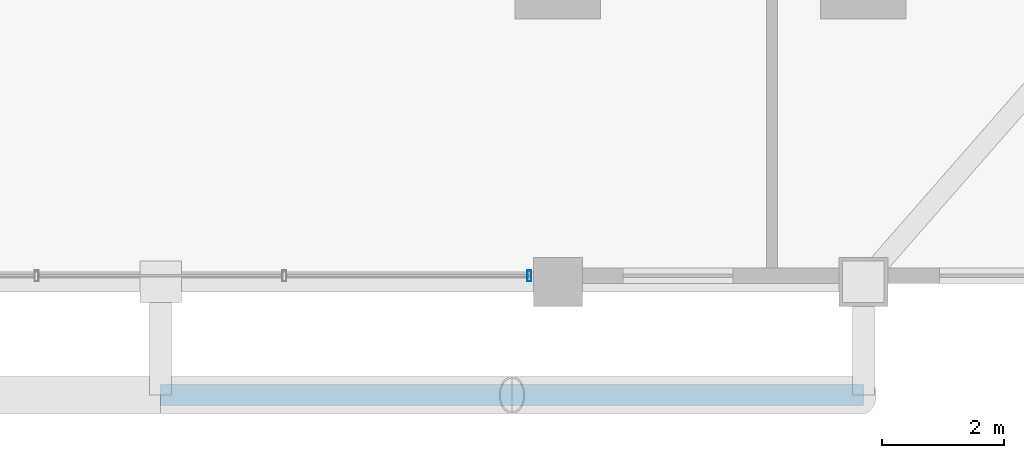
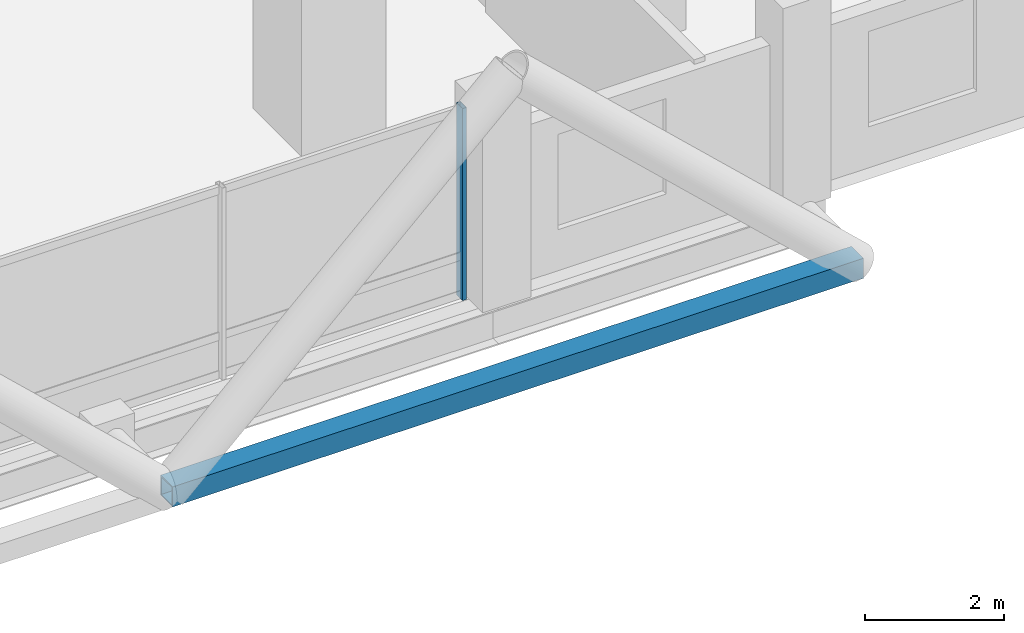
# One storey, part 4 of 26: 2 members, 1 element without a shape of its own.
"""IFC4 building model written with IfcOpenShell, lengths in metres."""

from ifc_helpers import new_model, si_unit, direction, frame, origin, origin_2d, place, context, subcontext, project, spatial, hollow_rectangle, extrude, material, layer, layer_set, material_profile, profile_set, type_object, element, aggregate, save


model = new_model("IFC4")

# Units and contexts
model_context = context("Model", 3, precision=1e-05, world=origin(), true_north=direction((0.0, 1.0)))
body_context = subcontext(model_context, "Body", "Model", "MODEL_VIEW")
ifc_project = project(units=[si_unit("LENGTHUNIT", "METRE"), si_unit("AREAUNIT", "SQUARE_METRE"), si_unit("VOLUMEUNIT", "CUBIC_METRE"), si_unit("PLANEANGLEUNIT", "RADIAN"), si_unit("MASSUNIT", "GRAM", prefix="KILO")], contexts=[model_context])

# Site, building, storey
site_placement = place(None, origin())
site = spatial("IfcSite", under=ifc_project, at=site_placement, CompositionType="ELEMENT")
building_placement = place(site_placement, origin())
building = spatial("IfcBuilding", under=site, at=building_placement, Name="Barlavira Tower and Art Museum", CompositionType="ELEMENT")
storey_placement = place(building_placement, frame((0.0, 0.0, 82.800048828125)))
storey = spatial("IfcBuildingStorey", under=building, at=storey_placement, Name="L20", CompositionType="ELEMENT", Elevation=82.800048828125)

# Curtain wall, member
ifc_material_1 = material(Name="Low-iron coastal laminated glass", Category="glass")
ifc_layer = layer(ifc_material_1, 0.179931640625, Name="Low-iron coastal laminated glass")
ifc_layer_set = layer_set([ifc_layer], Name="Low-iron coastal laminated glass")
curtain_wall_type = type_object("IfcCurtainWallType", Name="Pale-Metal Unitised Curtain Wall Zone 1", PredefinedType="NOTDEFINED", material=ifc_layer_set)
curtain_wall_placement = place(storey_placement, origin())
curtain_wall = element("IfcCurtainWall", 1, at=curtain_wall_placement, inside=storey, type_object=curtain_wall_type, Name="L20 Curtain Wall CW1-L20-S-B3", PredefinedType="NOTDEFINED")
ifc_material_2 = material(Name="Pale anodised aluminium", Category="aluminium")
ifc_material_profile_1 = material_profile(ifc_material_2, hollow_rectangle(XDim=0.06494140625, YDim=0.179931640625, WallThickness=0.00390625, at=origin_2d()), Name="ALU-MULL 65x180x4")
ifc_profile_set_1 = profile_set([ifc_material_profile_1], Name="Pale anodised aluminium")
member_type_1 = type_object("IfcMemberType", Name="Curtain Wall Pale-Metal Mullion 65x180", PredefinedType="MULLION", material=ifc_profile_set_1)
member_1_placement = place(storey_placement, frame((6.034912109375, -24.89990234375, 0.0), z_axis=(0.0, 0.0, 1.0), x_axis=(1.0, 0.0, 0.0)))
member_1 = element("IfcMember", 2, at=member_1_placement, type_object=member_type_1, Name="CW1-L20-S-B3 Mullion 3", PredefinedType="MULLION", context=body_context, shape_type="SweptSolid", body=[
    extrude(hollow_rectangle(XDim=0.06494140625, YDim=0.179931640625, WallThickness=0.00390625, at=origin_2d()), origin(), (0.0, 0.0, 1.0), 3.3798828125),
])
aggregate(curtain_wall, [member_1])

# Member
ifc_material_3 = material(Name="Steel S355", Category="steel")
ifc_material_profile_2 = material_profile(ifc_material_3, hollow_rectangle(XDim=0.35009765625, YDim=0.35009765625, WallThickness=0.02001953125, at=origin_2d()), Name="SHS 350x350x20.0")
ifc_profile_set_2 = profile_set([ifc_material_profile_2], Name="Steel S355")
member_type_2 = type_object("IfcMemberType", Name="Pale-Metal Exoskeleton Ring Strut SHS 350x350x20 Steel S355", PredefinedType="STRUT", material=ifc_profile_set_2)
member_2_placement = place(storey_placement, frame((0.0, -26.85009765625, -0.1201171875), z_axis=(1.0, 0.0, 0.0), x_axis=(0.0, 1.0, 0.0)))
element("IfcMember", 3, at=member_2_placement, inside=storey, type_object=member_type_2, Name="L20 Exoskeleton Ring Strut S", PredefinedType="STRUT", context=body_context, shape_type="SweptSolid", body=[
    extrude(hollow_rectangle(XDim=0.35009765625, YDim=0.35009765625, WallThickness=0.02001953125, at=origin_2d()), origin(), (0.0, 0.0, 1.0), 11.5),
])

save(model, "model.ifc")
